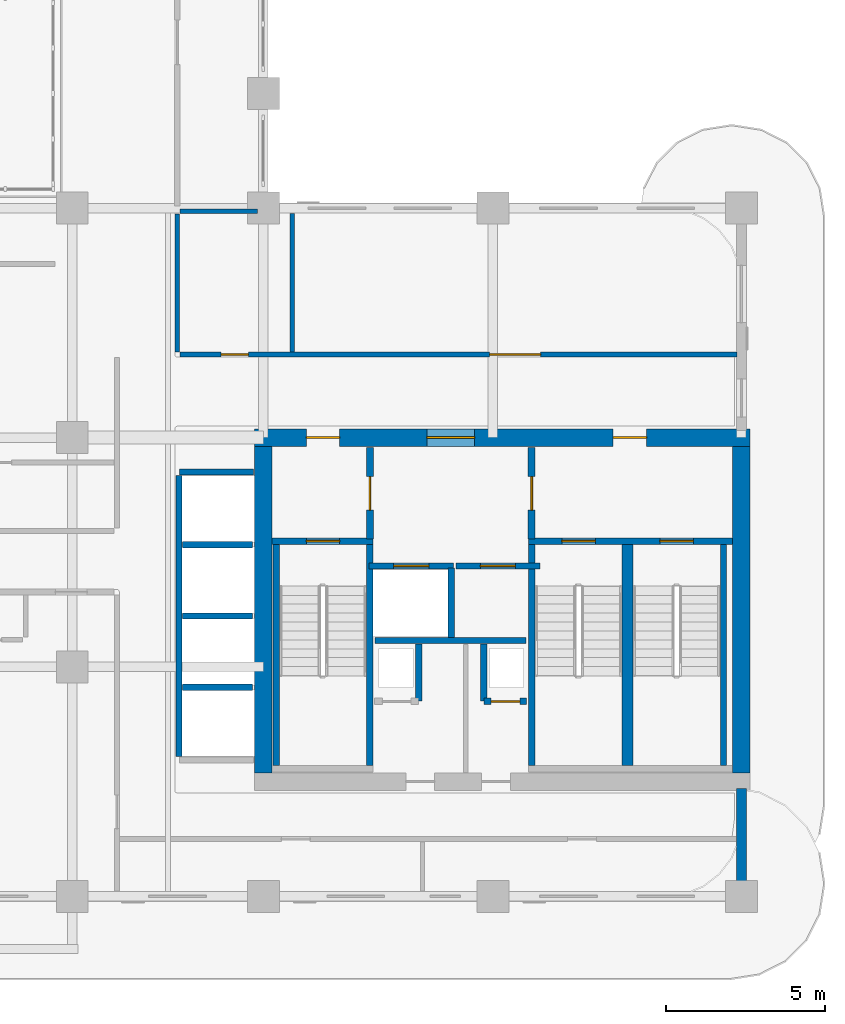
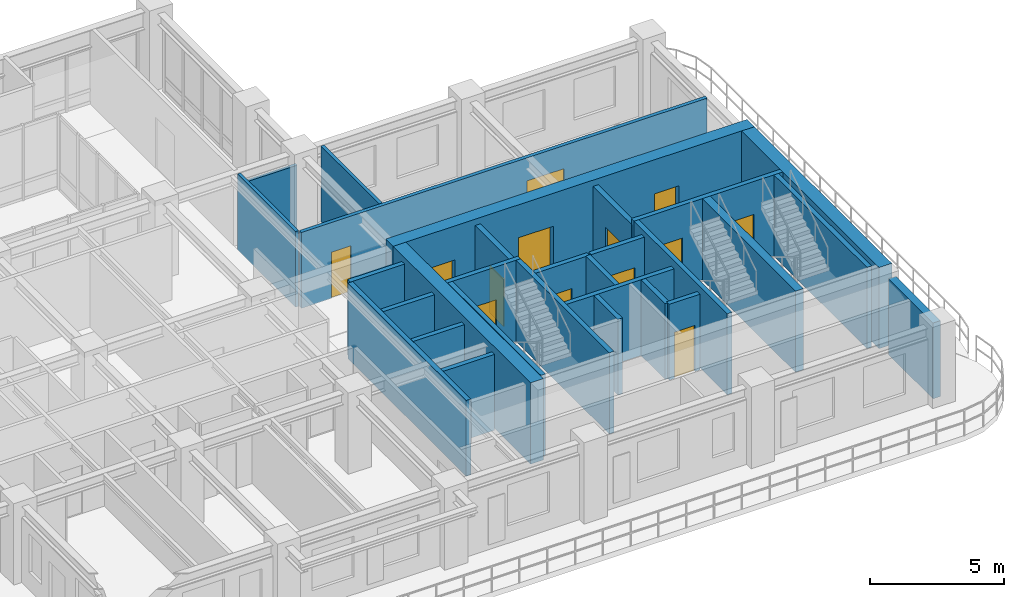
# One storey, part 13 of 20: 29 walls, 13 doors, 13 openings.
"""IFC4 building model written with IfcOpenShell, lengths in metres."""

from ifc_helpers import new_model, si_unit, derived_unit, direction, frame, frame_2d, origin, place, context, subcontext, project, spatial, rectangle, extrude, source, transform, mapped, material, layer, layer_set, type_object, type_shapes, element, fill, save


model = new_model("IFC4")

# Units and contexts
model_context = context("Model", 3, precision=1e-05, world=origin(), true_north=direction((0.0, 1.0)))
body_context = subcontext(model_context, "Body", "Model", "MODEL_VIEW")
ifc_project = project(units=[si_unit("LENGTHUNIT", "METRE"), si_unit("AREAUNIT", "SQUARE_METRE"), si_unit("VOLUMEUNIT", "CUBIC_METRE"), si_unit("PLANEANGLEUNIT", "RADIAN"), si_unit("MASSUNIT", "GRAM", prefix="KILO"), si_unit("THERMODYNAMICTEMPERATUREUNIT", "KELVIN"), si_unit("POWERUNIT", "WATT"), derived_unit("THERMALTRANSMITTANCEUNIT", [(si_unit("POWERUNIT", "WATT"), 1), (si_unit("AREAUNIT", "SQUARE_METRE"), -1), (si_unit("THERMODYNAMICTEMPERATUREUNIT", "KELVIN"), -1)])], contexts=[model_context])

# Site, building, storey
site_placement = place(None, origin())
site = spatial("IfcSite", under=ifc_project, at=site_placement, CompositionType="ELEMENT")
building_placement = place(site_placement, origin())
building = spatial("IfcBuilding", under=site, at=building_placement, Name="Zahravan Archway Hotel and Residences", CompositionType="ELEMENT")
storey_placement = place(building_placement, frame((0.0, 0.0, 130.300048828125)))
storey = spatial("IfcBuildingStorey", under=building, at=storey_placement, Name="L32", CompositionType="ELEMENT", Elevation=130.300048828125)

# Wall, openings, doors
ifc_material_1 = material(Name="Concrete C70/85", Category="concrete")
ifc_layer_1 = layer(ifc_material_1, 0.550048828125, Name="Concrete C70/85", Category="concrete")
ifc_layer_set_1 = layer_set([ifc_layer_1], Name="Concrete C70/85")
wall_type_1 = type_object("IfcWallType", Name="CW-CORE-550", PredefinedType="SHEAR", material=ifc_layer_set_1)
wall_1_placement = place(storey_placement, frame((34.52490234375, 14.39990234375, 0.0), z_axis=(0.0, 0.0, 1.0), x_axis=(1.0, 0.0, 0.0)))
wall_1 = element("IfcWall", 1, at=wall_1_placement, inside=storey, type_object=wall_type_1, Name="L32 Core A Shear N Wall 550 mm", PredefinedType="SHEAR", context=body_context, shape_type="SweptSolid", body=[
    extrude(rectangle(XDim=15.550048828125, YDim=0.550048828125, at=frame_2d((7.77490234375, 0.0))), origin(), (0.0, 0.0, 1.0), 3.699951171875),
])
opening_1_placement = place(wall_1_placement, frame((5.405029296875, 0.0, 0.0)))
opening_1 = element("IfcOpeningElement", 2, at=opening_1_placement, cuts=wall_1, Name="Opening FD-L1", PredefinedType="OPENING", context=body_context, shape_type="SweptSolid", body=[
    extrude(rectangle(XDim=1.5, YDim=2.199951171875, at=frame_2d((0.75, 1.10009765625))), frame((0.0, 0.28515625, 0.0), z_axis=(0.0, -1.0, 0.0), x_axis=(1.0, 0.0, 0.0)), (0.0, 0.0, 1.0), 0.570068359375),
])
opening_2_placement = place(wall_1_placement, frame((1.6201171875, 0.0, 0.0)))
opening_2 = element("IfcOpeningElement", 3, at=opening_2_placement, cuts=wall_1, Name="Opening FD-L2", PredefinedType="OPENING", context=body_context, shape_type="SweptSolid", body=[
    extrude(rectangle(XDim=1.050048828125, YDim=2.14990234375, at=frame_2d((0.52490234375, 1.074951171875))), frame((0.0, 0.28515625, 0.0), z_axis=(0.0, -1.0, 0.0), x_axis=(1.0, 0.0, 0.0)), (0.0, 0.0, 1.0), 0.570068359375),
])
opening_3_placement = place(wall_1_placement, frame((11.25, 0.0, 0.0)))
opening_3 = element("IfcOpeningElement", 4, at=opening_3_placement, cuts=wall_1, Name="Opening FD-L2", PredefinedType="OPENING", context=body_context, shape_type="SweptSolid", body=[
    extrude(rectangle(XDim=1.050048828125, YDim=2.14990234375, at=frame_2d((0.52490234375, 1.074951171875))), frame((0.0, 0.28515625, 0.0), z_axis=(0.0, -1.0, 0.0), x_axis=(1.0, 0.0, 0.0)), (0.0, 0.0, 1.0), 0.570068359375),
])
ifc_material_2 = material(Name="Fire-Rated Painted Steel", Category="steel")
door_type_1 = type_object("IfcDoorType", Name="FD-LOBBY-1100", OperationType="NOTDEFINED", PredefinedType="DOOR", material=ifc_material_2)
shared_shape_1 = source(origin(), body_context, "Body", "SweptSolid", [
    extrude(rectangle(XDim=1.050048828125, YDim=2.14990234375, at=frame_2d((0.52490234375, 1.074951171875))), frame((0.0, 0.02490234375, 0.0), z_axis=(0.0, -1.0, 0.0), x_axis=(1.0, 0.0, 0.0)), (0.0, 0.0, 1.0), 0.050048828125),
])
type_shapes(door_type_1, [shared_shape_1])
door_1_placement = place(opening_2_placement, origin())
door_1 = element("IfcDoor", 5, at=door_1_placement, inside=storey, type_object=door_type_1, Name="L32 Core A West Stair Lobby Door", OperationType="SINGLE_SWING_LEFT", OverallHeight=2.14990234375, OverallWidth=1.050048828125, PredefinedType="DOOR", context=body_context, shape_type="MappedRepresentation", body=[
    mapped(shared_shape_1, transform((0.0, 0.0, 0.0), scale=1.0)),
])
fill(opening_2, door_1)
door_2_placement = place(opening_3_placement, origin())
door_2 = element("IfcDoor", 6, at=door_2_placement, inside=storey, type_object=door_type_1, Name="L32 Core A East Stair Lobby Door", OperationType="SINGLE_SWING_RIGHT", OverallHeight=2.14990234375, OverallWidth=1.050048828125, PredefinedType="DOOR", context=body_context, shape_type="MappedRepresentation", body=[
    mapped(shared_shape_1, transform((0.0, 0.0, 0.0), scale=1.0)),
])
fill(opening_3, door_2)
door_type_2 = type_object("IfcDoorType", Name="FD-LOBBY-1500", OperationType="DOUBLE_DOOR_SINGLE_SWING", PredefinedType="DOOR", material=ifc_material_2)
shared_shape_2 = source(origin(), body_context, "Body", "SweptSolid", [
    extrude(rectangle(XDim=1.5, YDim=2.199951171875, at=frame_2d((0.75, 1.10009765625))), frame((0.0, 0.02490234375, 0.0), z_axis=(0.0, -1.0, 0.0), x_axis=(1.0, 0.0, 0.0)), (0.0, 0.0, 1.0), 0.050048828125),
])
type_shapes(door_type_2, [shared_shape_2])
door_3_placement = place(opening_1_placement, origin())
door_3 = element("IfcDoor", 7, at=door_3_placement, inside=storey, type_object=door_type_2, Name="L32 Core A FSAE Lobby Main Door", OperationType="DOUBLE_DOOR_SINGLE_SWING", OverallHeight=2.199951171875, OverallWidth=1.5, PredefinedType="DOOR", context=body_context, shape_type="MappedRepresentation", body=[
    mapped(shared_shape_2, transform((0.0, 0.0, 0.0), scale=1.0)),
])
fill(opening_1, door_3)

# Walls
for number, where, z_axis, x_axis, name in (
    (8, (34.800048828125, 3.875, 0.0), (0.0, 0.0, 1.0), (0.0, 1.0, 0.0), "L32 Core A Shear W Wall 550 mm"),
    (9, (49.800048828125, 3.875, 0.0), (0.0, 0.0, 1.0), (0.0, 1.0, 0.0), "L32 Core A Shear E Wall 550 mm"),
):
    element("IfcWall", number, at=place(storey_placement, frame(where, z_axis=z_axis, x_axis=x_axis)), inside=storey, type_object=wall_type_1, Name=name, PredefinedType="SHEAR", context=body_context, shape_type="SweptSolid", body=[
        extrude(rectangle(XDim=10.25, YDim=0.550048828125, at=frame_2d((5.125, 0.0))), origin(), (0.0, 0.0, 1.0), 3.699951171875),
    ])
ifc_material_3 = material(Name="Agra Buff Sandstone & Insulated Backup", Category="masonry")
ifc_layer_2 = layer(ifc_material_3, 0.320068359375, Name="Agra Buff Sandstone & Insulated Backup", Category="masonry")
ifc_layer_set_2 = layer_set([ifc_layer_2], Name="Agra Buff Sandstone & Insulated Backup")
wall_type_2 = type_object("IfcWallType", Name="EW-SAND-320", PredefinedType="SOLIDWALL", material=ifc_layer_set_2)
wall_2_placement = place(storey_placement, frame((49.800048828125, 0.050048828125, 0.0), z_axis=(0.0, 0.0, 1.0), x_axis=(0.0, 1.0, 0.0)))
element("IfcWall", 10, at=wall_2_placement, inside=storey, type_object=wall_type_2, Name="L32 Exterior Sandstone Wall WA-ES", PredefinedType="SOLIDWALL", context=body_context, shape_type="SweptSolid", body=[
    extrude(rectangle(XDim=3.329833984375, YDim=0.320068359375, at=frame_2d((1.6650390625, 0.0))), origin(), (0.0, 0.0, 1.0), 3.449951171875),
])

# Wall, opening, door
ifc_material_4 = material(Name="Fire-Rated Gypsum & Concrete Block", Category="concrete")
ifc_layer_3 = layer(ifc_material_4, 0.219970703125, Name="Fire-Rated Gypsum & Concrete Block", Category="concrete")
ifc_layer_set_3 = layer_set([ifc_layer_3], Name="Fire-Rated Gypsum & Concrete Block")
wall_type_3 = type_object("IfcWallType", Name="PW-COMP-220", PredefinedType="PARTITIONING", material=ifc_layer_set_3)
wall_3_placement = place(storey_placement, frame((38.139892578125, 11.219970703125, 0.0), z_axis=(0.0, 0.0, 1.0), x_axis=(0.0, 1.0, 0.0)))
wall_3 = element("IfcWall", 11, at=wall_3_placement, inside=storey, type_object=wall_type_3, Name="L32 Partition CA-LOBW", PredefinedType="PARTITIONING", context=body_context, shape_type="SweptSolid", body=[
    extrude(rectangle(XDim=2.860107421875, YDim=0.219970703125, at=frame_2d((1.43017578125, 0.0))), origin(), (0.0, 0.0, 1.0), 3.449951171875),
])
opening_4_placement = place(wall_3_placement, frame((0.905029296875, 0.0, 0.0)))
opening_4 = element("IfcOpeningElement", 12, at=opening_4_placement, cuts=wall_3, Name="Opening FD-L2", PredefinedType="OPENING", context=body_context, shape_type="SweptSolid", body=[
    extrude(rectangle(XDim=1.050048828125, YDim=2.14990234375, at=frame_2d((0.52490234375, 1.074951171875))), frame((0.0, 0.1201171875, 0.0), z_axis=(0.0, -1.0, 0.0), x_axis=(1.0, 0.0, 0.0)), (0.0, 0.0, 1.0), 0.239990234375),
])
door_4_placement = place(opening_4_placement, origin())
door_4 = element("IfcDoor", 13, at=door_4_placement, inside=storey, type_object=door_type_1, Name="L32 Core A West Stair to FSAE Lobby Door", OperationType="SINGLE_SWING_LEFT", OverallHeight=2.14990234375, OverallWidth=1.050048828125, PredefinedType="DOOR", context=body_context, shape_type="MappedRepresentation", body=[
    mapped(shared_shape_1, transform((0.0, 0.0, 0.0), scale=1.0)),
])
fill(opening_4, door_4)

wall_4_placement = place(storey_placement, frame((43.219970703125, 11.219970703125, 0.0), z_axis=(0.0, 0.0, 1.0), x_axis=(0.0, 1.0, 0.0)))
wall_4 = element("IfcWall", 14, at=wall_4_placement, inside=storey, type_object=wall_type_3, Name="L32 Partition CA-LOBE", PredefinedType="PARTITIONING", context=body_context, shape_type="SweptSolid", body=[
    extrude(rectangle(XDim=2.860107421875, YDim=0.219970703125, at=frame_2d((1.43017578125, 0.0))), origin(), (0.0, 0.0, 1.0), 3.449951171875),
])
opening_5_placement = place(wall_4_placement, frame((0.905029296875, 0.0, 0.0)))
opening_5 = element("IfcOpeningElement", 15, at=opening_5_placement, cuts=wall_4, Name="Opening FD-L2", PredefinedType="OPENING", context=body_context, shape_type="SweptSolid", body=[
    extrude(rectangle(XDim=1.050048828125, YDim=2.14990234375, at=frame_2d((0.52490234375, 1.074951171875))), frame((0.0, 0.1201171875, 0.0), z_axis=(0.0, -1.0, 0.0), x_axis=(1.0, 0.0, 0.0)), (0.0, 0.0, 1.0), 0.239990234375),
])
door_5_placement = place(opening_5_placement, origin())
door_5 = element("IfcDoor", 16, at=door_5_placement, inside=storey, type_object=door_type_1, Name="L32 Core A East Stair to FSAE Lobby Door", OperationType="SINGLE_SWING_RIGHT", OverallHeight=2.14990234375, OverallWidth=1.050048828125, PredefinedType="DOOR", context=body_context, shape_type="MappedRepresentation", body=[
    mapped(shared_shape_1, transform((0.0, 0.0, 0.0), scale=1.0)),
])
fill(opening_5, door_5)

# Wall, openings, doors
ifc_layer_4 = layer(ifc_material_4, 0.159912109375, Name="Fire-Rated Gypsum & Concrete Block", Category="concrete")
ifc_layer_set_4 = layer_set([ifc_layer_4], Name="Fire-Rated Gypsum & Concrete Block")
wall_type_4 = type_object("IfcWallType", Name="PW-CORR-160", PredefinedType="PARTITIONING", material=ifc_layer_set_4)
wall_5_placement = place(storey_placement, frame((32.18994140625, 17.0, 0.0), z_axis=(0.0, 0.0, 1.0), x_axis=(1.0, 0.0, 0.0)))
wall_5 = element("IfcWall", 17, at=wall_5_placement, inside=storey, type_object=wall_type_4, Name="L32 Partition WA-FN", PredefinedType="PARTITIONING", context=body_context, shape_type="SweptSolid", body=[
    extrude(rectangle(XDim=17.469970703125, YDim=0.159912109375, at=frame_2d((8.73486328125, 0.0))), origin(), (0.0, 0.0, 1.0), 3.449951171875),
])
opening_6_placement = place(wall_5_placement, frame((1.284912109375, 0.0, 0.0)))
opening_6 = element("IfcOpeningElement", 18, at=opening_6_placement, cuts=wall_5, Name="Opening D-B1", PredefinedType="OPENING", context=body_context, shape_type="SweptSolid", body=[
    extrude(rectangle(XDim=0.85009765625, YDim=2.10009765625, at=frame_2d((0.425048828125, 1.050048828125))), frame((0.0, 0.08984375, 0.0), z_axis=(0.0, -1.0, 0.0), x_axis=(1.0, 0.0, 0.0)), (0.0, 0.0, 1.0), 0.179931640625),
])
opening_7_placement = place(wall_5_placement, frame((9.7099609375, 0.0, 0.0)))
opening_7 = element("IfcOpeningElement", 19, at=opening_7_placement, cuts=wall_5, Name="Opening D-P2", PredefinedType="OPENING", context=body_context, shape_type="SweptSolid", body=[
    extrude(rectangle(XDim=1.60009765625, YDim=2.39990234375, at=frame_2d((0.800048828125, 1.199951171875))), frame((0.0, 0.08984375, 0.0), z_axis=(0.0, -1.0, 0.0), x_axis=(1.0, 0.0, 0.0)), (0.0, 0.0, 1.0), 0.179931640625),
])
ifc_material_5 = material(Name="Bronze-Anodized Glazed Aluminium", Category="aluminium")
door_type_3 = type_object("IfcDoorType", Name="ID-PUBLIC-1600", OperationType="DOUBLE_DOOR_SINGLE_SWING", PredefinedType="DOOR", material=ifc_material_5)
shared_shape_3 = source(origin(), body_context, "Body", "SweptSolid", [
    extrude(rectangle(XDim=1.60009765625, YDim=2.39990234375, at=frame_2d((0.800048828125, 1.199951171875))), frame((0.0, 0.02490234375, 0.0), z_axis=(0.0, -1.0, 0.0), x_axis=(1.0, 0.0, 0.0)), (0.0, 0.0, 1.0), 0.050048828125),
])
type_shapes(door_type_3, [shared_shape_3])
door_6_placement = place(opening_7_placement, origin())
door_6 = element("IfcDoor", 20, at=door_6_placement, inside=storey, type_object=door_type_3, Name="L32 North Fitness Gym Door", OperationType="DOUBLE_DOOR_SINGLE_SWING", OverallHeight=2.39990234375, OverallWidth=1.60009765625, PredefinedType="DOOR", context=body_context, shape_type="MappedRepresentation", body=[
    mapped(shared_shape_3, transform((0.0, 0.0, 0.0), scale=1.0)),
])
fill(opening_7, door_6)
ifc_material_6 = material(Name="Hardwood Veneer Timber", Category="wood")
door_type_4 = type_object("IfcDoorType", Name="ID-BATH-850", OperationType="NOTDEFINED", PredefinedType="DOOR", material=ifc_material_6)
shared_shape_4 = source(origin(), body_context, "Body", "SweptSolid", [
    extrude(rectangle(XDim=0.85009765625, YDim=2.10009765625, at=frame_2d((0.425048828125, 1.050048828125))), frame((0.0, 0.02490234375, 0.0), z_axis=(0.0, -1.0, 0.0), x_axis=(1.0, 0.0, 0.0)), (0.0, 0.0, 1.0), 0.050048828125),
])
type_shapes(door_type_4, [shared_shape_4])
door_7_placement = place(opening_6_placement, origin())
door_7 = element("IfcDoor", 21, at=door_7_placement, inside=storey, type_object=door_type_4, Name="L32 Accessible Restroom Door", OperationType="SINGLE_SWING_LEFT", OverallHeight=2.10009765625, OverallWidth=0.85009765625, PredefinedType="DOOR", context=body_context, shape_type="MappedRepresentation", body=[
    mapped(shared_shape_4, transform((0.0, 0.0, 0.0), scale=1.0)),
])
fill(opening_6, door_7)

# Walls
ifc_layer_5 = layer(ifc_material_4, 0.199951171875, Name="Fire-Rated Gypsum & Concrete Block", Category="concrete")
ifc_layer_set_5 = layer_set([ifc_layer_5], Name="Fire-Rated Gypsum & Concrete Block")
wall_type_5 = type_object("IfcWallType", Name="PW-SHAFT-200", PredefinedType="PARTITIONING", material=ifc_layer_set_5)
wall_6_placement = place(storey_placement, frame((38.300048828125, 8.030029296875, 0.0), z_axis=(0.0, 0.0, 1.0), x_axis=(1.0, 0.0, 0.0)))
element("IfcWall", 22, at=wall_6_placement, inside=storey, type_object=wall_type_5, Name="L32 Partition CA-FLS", PredefinedType="PARTITIONING", context=body_context, shape_type="SweptSolid", body=[
    extrude(rectangle(XDim=4.739990234375, YDim=0.199951171875, at=frame_2d((2.3701171875, 0.0))), origin(), (0.0, 0.0, 1.0), 3.449951171875),
])
wall_7_placement = place(storey_placement, frame((40.699951171875, 8.1201171875, 0.0), z_axis=(0.0, 0.0, 1.0), x_axis=(0.0, 1.0, 0.0)))
element("IfcWall", 23, at=wall_7_placement, inside=storey, type_object=wall_type_5, Name="L32 Partition CA-FLM", PredefinedType="PARTITIONING", context=body_context, shape_type="SweptSolid", body=[
    extrude(rectangle(XDim=2.179931640625, YDim=0.199951171875, at=frame_2d((1.08984375, 0.0))), origin(), (0.0, 0.0, 1.0), 3.449951171875),
])
wall_8_placement = place(storey_placement, frame((39.679931640625, 6.1298828125, 0.0), z_axis=(0.0, 0.0, 1.0), x_axis=(0.0, 1.0, 0.0)))
element("IfcWall", 24, at=wall_8_placement, inside=storey, type_object=wall_type_5, Name="L32 Partition CA-SMKE", PredefinedType="PARTITIONING", context=body_context, shape_type="SweptSolid", body=[
    extrude(rectangle(XDim=1.7900390625, YDim=0.199951171875, at=frame_2d((0.89501953125, 0.0))), origin(), (0.0, 0.0, 1.0), 3.449951171875),
])

# Wall, opening, door
wall_9_placement = place(storey_placement, frame((41.72998046875, 6.1201171875, 0.0), z_axis=(0.0, 0.0, 1.0), x_axis=(1.0, 0.0, 0.0)))
wall_9 = element("IfcWall", 25, at=wall_9_placement, inside=storey, type_object=wall_type_5, Name="L32 Partition CA-MEPS", PredefinedType="PARTITIONING", context=body_context, shape_type="SweptSolid", body=[
    extrude(rectangle(XDim=1.320068359375, YDim=0.199951171875, at=frame_2d((0.66015625, 0.0))), origin(), (0.0, 0.0, 1.0), 3.449951171875),
])
opening_8_placement = place(wall_9_placement, frame((0.219970703125, 0.0, 0.0)))
opening_8 = element("IfcOpeningElement", 26, at=opening_8_placement, cuts=wall_9, Name="Opening FD-R1", PredefinedType="OPENING", context=body_context, shape_type="SweptSolid", body=[
    extrude(rectangle(XDim=0.89990234375, YDim=2.10009765625, at=frame_2d((0.449951171875, 1.050048828125))), frame((0.0, 0.10986328125, 0.0), z_axis=(0.0, -1.0, 0.0), x_axis=(1.0, 0.0, 0.0)), (0.0, 0.0, 1.0), 0.219970703125),
])
door_type_5 = type_object("IfcDoorType", Name="FD-RISER-900", OperationType="NOTDEFINED", PredefinedType="DOOR", material=ifc_material_2)
shared_shape_5 = source(origin(), body_context, "Body", "SweptSolid", [
    extrude(rectangle(XDim=0.89990234375, YDim=2.10009765625, at=frame_2d((0.449951171875, 1.050048828125))), frame((0.0, 0.02490234375, 0.0), z_axis=(0.0, -1.0, 0.0), x_axis=(1.0, 0.0, 0.0)), (0.0, 0.0, 1.0), 0.050048828125),
])
type_shapes(door_type_5, [shared_shape_5])
door_8_placement = place(opening_8_placement, origin())
door_8 = element("IfcDoor", 27, at=door_8_placement, inside=storey, type_object=door_type_5, Name="L32 MEP Riser Access Door", OperationType="SINGLE_SWING_RIGHT", OverallHeight=2.10009765625, OverallWidth=0.89990234375, PredefinedType="DOOR", context=body_context, shape_type="MappedRepresentation", body=[
    mapped(shared_shape_5, transform((0.0, 0.0, 0.0), scale=1.0)),
])
fill(opening_8, door_8)

# Walls
wall_10_placement = place(storey_placement, frame((41.719970703125, 6.1298828125, 0.0), z_axis=(0.0, 0.0, 1.0), x_axis=(0.0, 1.0, 0.0)))
element("IfcWall", 28, at=wall_10_placement, inside=storey, type_object=wall_type_5, Name="L32 Partition CA-MEPW", PredefinedType="PARTITIONING", context=body_context, shape_type="SweptSolid", body=[
    extrude(rectangle(XDim=1.7900390625, YDim=0.199951171875, at=frame_2d((0.89501953125, 0.0))), origin(), (0.0, 0.0, 1.0), 3.449951171875),
])
wall_11_placement = place(storey_placement, frame((32.159912109375, 13.320068359375, 0.0), z_axis=(0.0, 0.0, 1.0), x_axis=(1.0, 0.0, 0.0)))
element("IfcWall", 29, at=wall_11_placement, inside=storey, type_object=wall_type_5, Name="L32 Partition B3-N", PredefinedType="PARTITIONING", context=body_context, shape_type="SweptSolid", body=[
    extrude(rectangle(XDim=2.335205078125, YDim=0.199951171875, at=frame_2d((1.16748046875, 0.0))), origin(), (0.0, 0.0, 1.0), 3.449951171875),
])
wall_12_placement = place(storey_placement, frame((32.14990234375, 4.389892578125, 0.0), z_axis=(0.0, 0.0, 1.0), x_axis=(0.0, 1.0, 0.0)))
element("IfcWall", 30, at=wall_12_placement, inside=storey, type_object=wall_type_5, Name="L32 Partition B3-W", PredefinedType="PARTITIONING", context=body_context, shape_type="SweptSolid", body=[
    extrude(rectangle(XDim=8.820068359375, YDim=0.199951171875, at=frame_2d((4.41015625, 0.0))), origin(), (0.0, 0.0, 1.0), 3.449951171875),
])
for number, where, z_axis, x_axis, name in (
    (31, (32.260009765625, 6.56005859375, 0.0), (0.0, 0.0, 1.0), (1.0, 0.0, 0.0), "L32 Partition B3-D"),
    (32, (32.260009765625, 8.800048828125, 0.0), (0.0, 0.0, 1.0), (1.0, 0.0, 0.0), "L32 Partition B3-D"),
    (33, (32.260009765625, 11.0400390625, 0.0), (0.0, 0.0, 1.0), (1.0, 0.0, 0.0), "L32 Partition B3-D"),
):
    element("IfcWall", number, at=place(storey_placement, frame(where, z_axis=z_axis, x_axis=x_axis)), inside=storey, type_object=wall_type_5, Name=name, PredefinedType="PARTITIONING", context=body_context, shape_type="SweptSolid", body=[
        extrude(rectangle(XDim=2.205078125, YDim=0.199951171875, at=frame_2d((1.1025390625, 0.0))), origin(), (0.0, 0.0, 1.0), 3.449951171875),
    ])

# Wall, opening, door
wall_13_placement = place(storey_placement, frame((38.1201171875, 10.3701171875, 0.0), z_axis=(0.0, 0.0, 1.0), x_axis=(1.0, 0.0, 0.0)))
wall_13 = element("IfcWall", 34, at=wall_13_placement, inside=storey, type_object=wall_type_5, Name="L32 Lift FL-1 Front Wall", PredefinedType="PARTITIONING", context=body_context, shape_type="SweptSolid", body=[
    extrude(rectangle(XDim=2.639892578125, YDim=0.199951171875, at=frame_2d((1.31982421875, 0.0))), origin(), (0.0, 0.0, 1.0), 3.449951171875),
])
opening_9_placement = place(wall_13_placement, frame((0.77001953125, 0.0, 0.0)))
opening_9 = element("IfcOpeningElement", 35, at=opening_9_placement, cuts=wall_13, Name="Opening LD", PredefinedType="OPENING", context=body_context, shape_type="SweptSolid", body=[
    extrude(rectangle(XDim=1.10009765625, YDim=2.199951171875, at=frame_2d((0.550048828125, 1.10009765625))), frame((0.0, 0.10986328125, 0.0), z_axis=(0.0, -1.0, 0.0), x_axis=(1.0, 0.0, 0.0)), (0.0, 0.0, 1.0), 0.219970703125),
])
ifc_material_7 = material(Name="Brushed Stainless Steel", Category="steel")
door_type_6 = type_object("IfcDoorType", Name="DR-LIFT-LD", OperationType="SLIDING_TO_LEFT", PredefinedType="DOOR", material=ifc_material_7)
shared_shape_6 = source(origin(), body_context, "Body", "SweptSolid", [
    extrude(rectangle(XDim=1.10009765625, YDim=2.199951171875, at=frame_2d((0.550048828125, 1.10009765625))), frame((0.0, 0.02490234375, 0.0), z_axis=(0.0, -1.0, 0.0), x_axis=(1.0, 0.0, 0.0)), (0.0, 0.0, 1.0), 0.050048828125),
])
type_shapes(door_type_6, [shared_shape_6])
door_9_placement = place(opening_9_placement, origin())
door_9 = element("IfcDoor", 36, at=door_9_placement, inside=storey, type_object=door_type_6, Name="L32 Lift FL-1 Sliding Landing Door", OperationType="SLIDING_TO_LEFT", OverallHeight=2.199951171875, OverallWidth=1.10009765625, PredefinedType="DOOR", context=body_context, shape_type="MappedRepresentation", body=[
    mapped(shared_shape_6, transform((0.0, 0.0, 0.0), scale=1.0)),
])
fill(opening_9, door_9)

wall_14_placement = place(storey_placement, frame((40.840087890625, 10.3701171875, 0.0), z_axis=(0.0, 0.0, 1.0), x_axis=(1.0, 0.0, 0.0)))
wall_14 = element("IfcWall", 37, at=wall_14_placement, inside=storey, type_object=wall_type_5, Name="L32 Lift FL-2 Front Wall", PredefinedType="PARTITIONING", context=body_context, shape_type="SweptSolid", body=[
    extrude(rectangle(XDim=2.639892578125, YDim=0.199951171875, at=frame_2d((1.31982421875, 0.0))), origin(), (0.0, 0.0, 1.0), 3.449951171875),
])
opening_10_placement = place(wall_14_placement, frame((0.77001953125, 0.0, 0.0)))
opening_10 = element("IfcOpeningElement", 38, at=opening_10_placement, cuts=wall_14, Name="Opening LD", PredefinedType="OPENING", context=body_context, shape_type="SweptSolid", body=[
    extrude(rectangle(XDim=1.10009765625, YDim=2.199951171875, at=frame_2d((0.550048828125, 1.10009765625))), frame((0.0, 0.10986328125, 0.0), z_axis=(0.0, -1.0, 0.0), x_axis=(1.0, 0.0, 0.0)), (0.0, 0.0, 1.0), 0.219970703125),
])
door_10_placement = place(opening_10_placement, origin())
door_10 = element("IfcDoor", 39, at=door_10_placement, inside=storey, type_object=door_type_6, Name="L32 Lift FL-2 Sliding Landing Door", OperationType="SLIDING_TO_LEFT", OverallHeight=2.199951171875, OverallWidth=1.10009765625, PredefinedType="DOOR", context=body_context, shape_type="MappedRepresentation", body=[
    mapped(shared_shape_6, transform((0.0, 0.0, 0.0), scale=1.0)),
])
fill(opening_10, door_10)

# Walls
ifc_material_8 = material(Name="Moisture-Resistant Blockwork", Category="masonry")
ifc_layer_6 = layer(ifc_material_8, 0.139892578125, Name="Moisture-Resistant Blockwork", Category="masonry")
ifc_layer_set_6 = layer_set([ifc_layer_6], Name="Moisture-Resistant Blockwork")
wall_type_6 = type_object("IfcWallType", Name="PW-WET-140", PredefinedType="PARTITIONING", material=ifc_layer_set_6)
wall_15_placement = place(storey_placement, frame((32.10009765625, 17.090087890625, 0.0), z_axis=(0.0, 0.0, 1.0), x_axis=(0.0, 1.0, 0.0)))
element("IfcWall", 40, at=wall_15_placement, inside=storey, type_object=wall_type_6, Name="L32 Partition NE-W0", PredefinedType="PARTITIONING", context=body_context, shape_type="SweptSolid", body=[
    extrude(rectangle(XDim=4.31982421875, YDim=0.139892578125, at=frame_2d((2.159912109375, 0.0))), origin(), (0.0, 0.0, 1.0), 3.449951171875),
])
wall_16_placement = place(storey_placement, frame((35.699951171875, 17.090087890625, 0.0), z_axis=(0.0, 0.0, 1.0), x_axis=(0.0, 1.0, 0.0)))
element("IfcWall", 41, at=wall_16_placement, inside=storey, type_object=wall_type_6, Name="L32 Partition NE1-1", PredefinedType="PARTITIONING", context=body_context, shape_type="SweptSolid", body=[
    extrude(rectangle(XDim=4.341796875, YDim=0.139892578125, at=frame_2d((2.1708984375, 0.0))), origin(), (0.0, 0.0, 1.0), 3.449951171875),
])
wall_17_placement = place(storey_placement, frame((32.18994140625, 21.5, 0.0), z_axis=(0.0, 0.0, 1.0), x_axis=(1.0, 0.0, 0.0)))
element("IfcWall", 42, at=wall_17_placement, inside=storey, type_object=wall_type_6, Name="L32 Partition ATR-ES", PredefinedType="PARTITIONING", context=body_context, shape_type="SweptSolid", body=[
    extrude(rectangle(XDim=2.420166015625, YDim=0.139892578125, at=frame_2d((1.2099609375, 0.0))), origin(), (0.0, 0.0, 1.0), 2.93505859375),
])
ifc_material_9 = material(Name="Concrete C50/60", Category="concrete")
ifc_layer_7 = layer(ifc_material_9, 0.199951171875, Name="Concrete C50/60", Category="concrete")
ifc_layer_set_7 = layer_set([ifc_layer_7], Name="Concrete C50/60")
wall_type_7 = type_object("IfcWallType", Name="SW-STAIR-200", PredefinedType="SHEAR", material=ifc_layer_set_7)
for number, where, z_axis, x_axis, name in (
    (43, (35.199951171875, 4.10009765625, 0.0), (0.0, 0.0, 1.0), (0.0, 1.0, 0.0), "L32 Stairwell RC Wall CA-SA1W"),
    (44, (38.139892578125, 4.10009765625, 0.0), (0.0, 0.0, 1.0), (0.0, 1.0, 0.0), "L32 Stairwell RC Wall CA-SA1E"),
):
    element("IfcWall", number, at=place(storey_placement, frame(where, z_axis=z_axis, x_axis=x_axis)), inside=storey, type_object=wall_type_7, Name=name, PredefinedType="SHEAR", context=body_context, shape_type="SweptSolid", body=[
        extrude(rectangle(XDim=6.949951171875, YDim=0.199951171875, at=frame_2d((3.47509765625, 0.0))), origin(), (0.0, 0.0, 1.0), 3.699951171875),
    ])

# Wall, opening, door
wall_18_placement = place(storey_placement, frame((35.074951171875, 11.14990234375, 0.0), z_axis=(0.0, 0.0, 1.0), x_axis=(1.0, 0.0, 0.0)))
wall_18 = element("IfcWall", 45, at=wall_18_placement, inside=storey, type_object=wall_type_7, Name="L32 Stairwell RC Wall CA-SA1N", PredefinedType="SHEAR", context=body_context, shape_type="SweptSolid", body=[
    extrude(rectangle(XDim=3.1650390625, YDim=0.199951171875, at=frame_2d((1.58251953125, 0.0))), origin(), (0.0, 0.0, 1.0), 3.699951171875),
])
opening_11_placement = place(wall_18_placement, frame((1.070068359375, 0.0, 0.0)))
opening_11 = element("IfcOpeningElement", 46, at=opening_11_placement, cuts=wall_18, Name="Opening FD-S1", PredefinedType="OPENING", context=body_context, shape_type="SweptSolid", body=[
    extrude(rectangle(XDim=1.050048828125, YDim=2.199951171875, at=frame_2d((0.52490234375, 1.10009765625))), frame((0.0, 0.10986328125, 0.0), z_axis=(0.0, -1.0, 0.0), x_axis=(1.0, 0.0, 0.0)), (0.0, 0.0, 1.0), 0.219970703125),
])
door_type_7 = type_object("IfcDoorType", Name="FD-STAIR-1100", OperationType="NOTDEFINED", PredefinedType="DOOR", material=ifc_material_2)
shared_shape_7 = source(origin(), body_context, "Body", "SweptSolid", [
    extrude(rectangle(XDim=1.050048828125, YDim=2.199951171875, at=frame_2d((0.52490234375, 1.10009765625))), frame((0.0, 0.02490234375, 0.0), z_axis=(0.0, -1.0, 0.0), x_axis=(1.0, 0.0, 0.0)), (0.0, 0.0, 1.0), 0.050048828125),
])
type_shapes(door_type_7, [shared_shape_7])
door_11_placement = place(opening_11_placement, origin())
door_11 = element("IfcDoor", 47, at=door_11_placement, inside=storey, type_object=door_type_7, Name="L32 Stair ST-A1 Door", OperationType="SINGLE_SWING_RIGHT", OverallHeight=2.199951171875, OverallWidth=1.050048828125, PredefinedType="DOOR", context=body_context, shape_type="MappedRepresentation", body=[
    mapped(shared_shape_7, transform((0.0, 0.0, 0.0), scale=1.0)),
])
fill(opening_11, door_11)

# Walls
for number, where, z_axis, x_axis, name in (
    (48, (43.219970703125, 4.10009765625, 0.0), (0.0, 0.0, 1.0), (0.0, 1.0, 0.0), "L32 Stairwell RC Wall CA-SA2W"),
    (49, (49.239990234375, 4.10009765625, 0.0), (0.0, 0.0, 1.0), (0.0, 1.0, 0.0), "L32 Stairwell RC Wall CA-SA3E"),
):
    element("IfcWall", number, at=place(storey_placement, frame(where, z_axis=z_axis, x_axis=x_axis)), inside=storey, type_object=wall_type_7, Name=name, PredefinedType="SHEAR", context=body_context, shape_type="SweptSolid", body=[
        extrude(rectangle(XDim=6.949951171875, YDim=0.199951171875, at=frame_2d((3.47509765625, 0.0))), origin(), (0.0, 0.0, 1.0), 3.699951171875),
    ])

# Wall, openings, doors
wall_19_placement = place(storey_placement, frame((43.1201171875, 11.14990234375, 0.0), z_axis=(0.0, 0.0, 1.0), x_axis=(1.0, 0.0, 0.0)))
wall_19 = element("IfcWall", 50, at=wall_19_placement, inside=storey, type_object=wall_type_7, Name="L32 Stairwell RC Wall CA-SA23N", PredefinedType="SHEAR", context=body_context, shape_type="SweptSolid", body=[
    extrude(rectangle(XDim=6.40478515625, YDim=0.199951171875, at=frame_2d((3.202392578125, 0.0))), origin(), (0.0, 0.0, 1.0), 3.699951171875),
])
opening_12_placement = place(wall_19_placement, frame((1.044921875, 0.0, 0.0)))
opening_12 = element("IfcOpeningElement", 51, at=opening_12_placement, cuts=wall_19, Name="Opening FD-S1", PredefinedType="OPENING", context=body_context, shape_type="SweptSolid", body=[
    extrude(rectangle(XDim=1.050048828125, YDim=2.199951171875, at=frame_2d((0.52490234375, 1.10009765625))), frame((0.0, 0.10986328125, 0.0), z_axis=(0.0, -1.0, 0.0), x_axis=(1.0, 0.0, 0.0)), (0.0, 0.0, 1.0), 0.219970703125),
])
opening_13_placement = place(wall_19_placement, frame((4.125, 0.0, 0.0)))
opening_13 = element("IfcOpeningElement", 52, at=opening_13_placement, cuts=wall_19, Name="Opening FD-S1", PredefinedType="OPENING", context=body_context, shape_type="SweptSolid", body=[
    extrude(rectangle(XDim=1.050048828125, YDim=2.199951171875, at=frame_2d((0.52490234375, 1.10009765625))), frame((0.0, 0.10986328125, 0.0), z_axis=(0.0, -1.0, 0.0), x_axis=(1.0, 0.0, 0.0)), (0.0, 0.0, 1.0), 0.219970703125),
])
door_12_placement = place(opening_12_placement, origin())
door_12 = element("IfcDoor", 53, at=door_12_placement, inside=storey, type_object=door_type_7, Name="L32 Stair ST-A2 Door", OperationType="SINGLE_SWING_LEFT", OverallHeight=2.199951171875, OverallWidth=1.050048828125, PredefinedType="DOOR", context=body_context, shape_type="MappedRepresentation", body=[
    mapped(shared_shape_7, transform((0.0, 0.0, 0.0), scale=1.0)),
])
fill(opening_12, door_12)
door_13_placement = place(opening_13_placement, origin())
door_13 = element("IfcDoor", 54, at=door_13_placement, inside=storey, type_object=door_type_7, Name="L32 Stair ST-A3 Door", OperationType="SINGLE_SWING_RIGHT", OverallHeight=2.199951171875, OverallWidth=1.050048828125, PredefinedType="DOOR", context=body_context, shape_type="MappedRepresentation", body=[
    mapped(shared_shape_7, transform((0.0, 0.0, 0.0), scale=1.0)),
])
fill(opening_13, door_13)

# Wall
ifc_layer_8 = layer(ifc_material_9, 0.340087890625, Name="Concrete C50/60", Category="concrete")
ifc_layer_set_8 = layer_set([ifc_layer_8], Name="Concrete C50/60")
wall_type_8 = type_object("IfcWallType", Name="SW-STAIR-340", PredefinedType="SHEAR", material=ifc_layer_set_8)
wall_20_placement = place(storey_placement, frame((46.22998046875, 4.10009765625, 0.0), z_axis=(0.0, 0.0, 1.0), x_axis=(0.0, 1.0, 0.0)))
element("IfcWall", 55, at=wall_20_placement, inside=storey, type_object=wall_type_8, Name="L32 Stairwell RC Wall CA-SA23M", PredefinedType="SHEAR", context=body_context, shape_type="SweptSolid", body=[
    extrude(rectangle(XDim=6.949951171875, YDim=0.340087890625, at=frame_2d((3.47509765625, 0.0))), origin(), (0.0, 0.0, 1.0), 3.699951171875),
])

save(model, "model.ifc")
